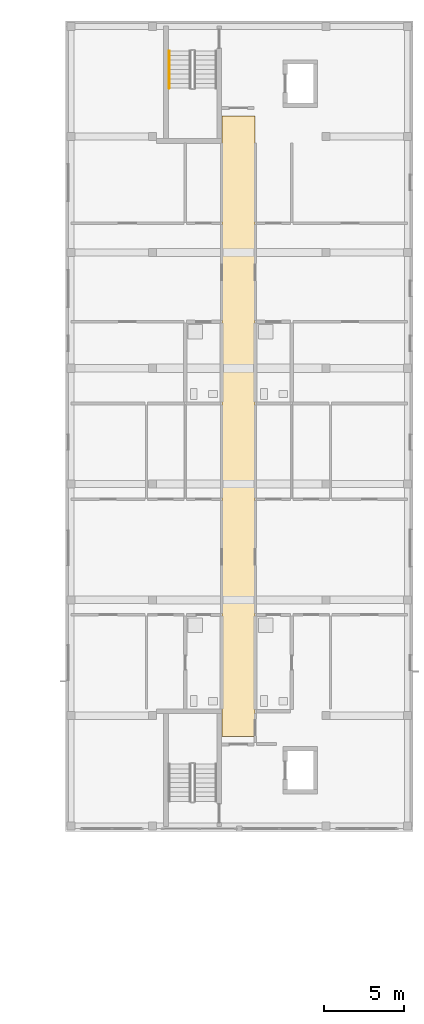
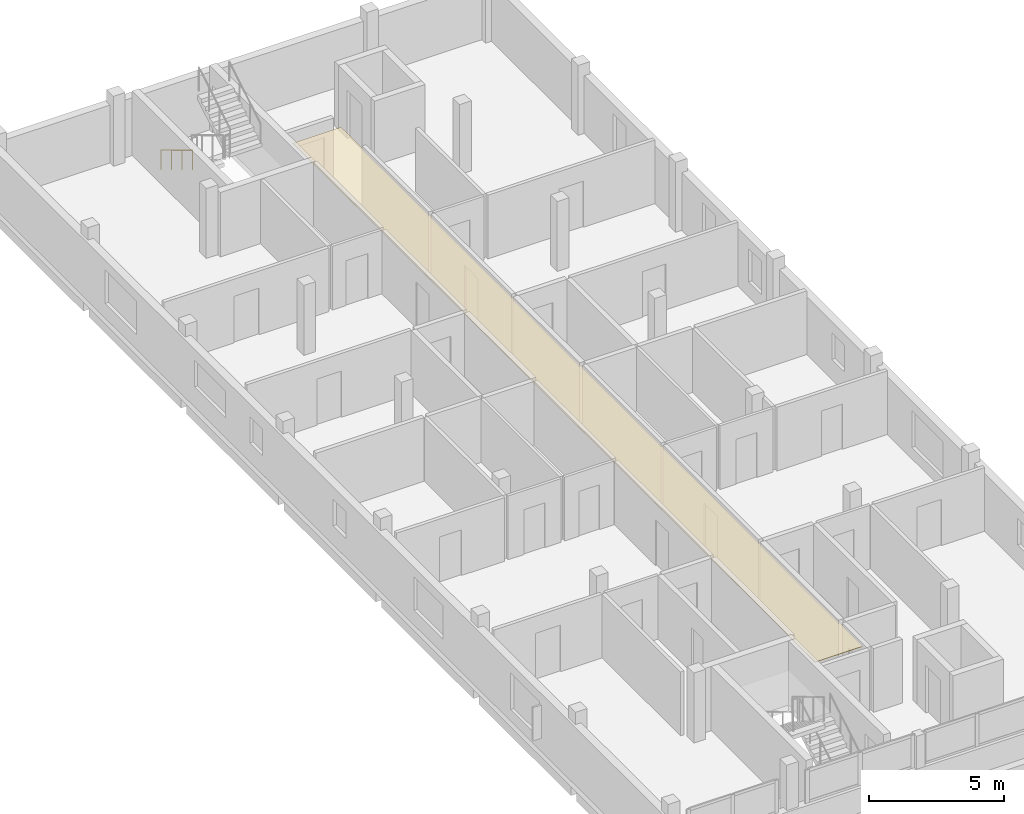
# One storey, part 27 of 29: 1 covering, 1 railing.
"""IFC4 building model written with IfcOpenShell, lengths in metres."""

from ifc_helpers import new_model, si_unit, derived_unit, direction, frame, origin, origin_2d, place, context, subcontext, project, spatial, polyline, circle, outline, extrude, material, layer, layer_set, type_object, element, save


model = new_model("IFC4")

# Units and contexts
model_context = context("Model", 3, precision=1e-05, world=origin(), true_north=direction((0.0, 1.0)))
body_context = subcontext(model_context, "Body", "Model", "MODEL_VIEW")
ifc_project = project(units=[si_unit("LENGTHUNIT", "METRE"), si_unit("AREAUNIT", "SQUARE_METRE"), si_unit("VOLUMEUNIT", "CUBIC_METRE"), si_unit("PLANEANGLEUNIT", "RADIAN"), si_unit("MASSUNIT", "GRAM", prefix="KILO"), derived_unit("THERMALTRANSMITTANCEUNIT", [(si_unit("MASSUNIT", "GRAM", prefix="KILO"), 1), (si_unit("TIMEUNIT", "SECOND"), -3), (si_unit("THERMODYNAMICTEMPERATUREUNIT", "KELVIN"), -1)])], contexts=[model_context])

# Site, building, storey
site_placement = place(None, origin())
site = spatial("IfcSite", under=ifc_project, at=site_placement, CompositionType="ELEMENT")
building_placement = place(site_placement, origin())
building = spatial("IfcBuilding", under=site, at=building_placement, Name="Ochrekiln Boulevard Commons", CompositionType="ELEMENT")
storey_placement = place(building_placement, frame((0.0, 0.0, 37.27490234375)))
storey = spatial("IfcBuildingStorey", under=building, at=storey_placement, Name="L11", CompositionType="ELEMENT", Elevation=37.27490234375)

# Covering
ifc_material_1 = material(Name="Mineral-fibre acoustic ceiling tile")
ifc_layer = layer(ifc_material_1, 0.02490234375)
ifc_layer_set = layer_set([ifc_layer], Name="Mineral-fibre acoustic ceiling tile")
covering_type = type_object("IfcCoveringType", Name="COV-CEIL-AC", PredefinedType="CEILING", material=ifc_layer_set)
covering_placement = place(storey_placement, frame((0.0, 0.0, 2.650146484375)))
element("IfcCovering", 1, at=covering_placement, inside=storey, type_object=covering_type, Name="L11 Acoustic Corridor Ceiling 70", PredefinedType="CEILING", context=body_context, shape_type="SweptSolid", body=[
    extrude(outline(polyline([(160.919921875, 74.320068359375), (162.97998046875, 74.320068359375), (162.97998046875, 112.8798828125), (160.919921875, 112.8798828125), (160.919921875, 74.320068359375)])), origin(), (0.0, 0.0, 1.0), 0.02490234375),
])

# Railing
ifc_material_2 = material(Name="Brushed stainless steel 316 tubular railing", Category="steel")
railing_type = type_object("IfcRailingType", Name="RLG-HDR-900", PredefinedType="HANDRAIL", material=ifc_material_2)
railing_placement = place(storey_placement, frame((157.64990234375, 116.929931640625, 0.175048828125)))
element("IfcRailing", 2, at=railing_placement, inside=storey, type_object=railing_type, Name="L11 ST-B2 stair handrail 1", PredefinedType="HANDRAIL", context=body_context, shape_type="SweptSolid", body=[
    extrude(circle(Radius=0.02392578125, at=origin_2d()), frame((0.0, 0.0, 0.8759765625), z_axis=(0.0, -0.856146426353, 0.516733293531), x_axis=(1.0, 0.0, 0.0)), (0.0, 0.0, 1.0), 2.709716796875),
    extrude(circle(Radius=0.02099609375, at=origin_2d()), origin(), (0.0, 0.0, 1.0), 0.851806640625),
    extrude(circle(Radius=0.02099609375, at=origin_2d()), frame((0.0, -0.773193359375, 0.466796875)), (0.0, 0.0, 1.0), 0.851806640625),
    extrude(circle(Radius=0.02099609375, at=origin_2d()), frame((0.0, -1.546630859375, 0.933349609375)), (0.0, 0.0, 1.0), 0.851806640625),
    extrude(circle(Radius=0.02099609375, at=origin_2d()), frame((0.0, -2.31982421875, 1.400146484375)), (0.0, 0.0, 1.0), 0.851806640625),
])

save(model, "model.ifc")
